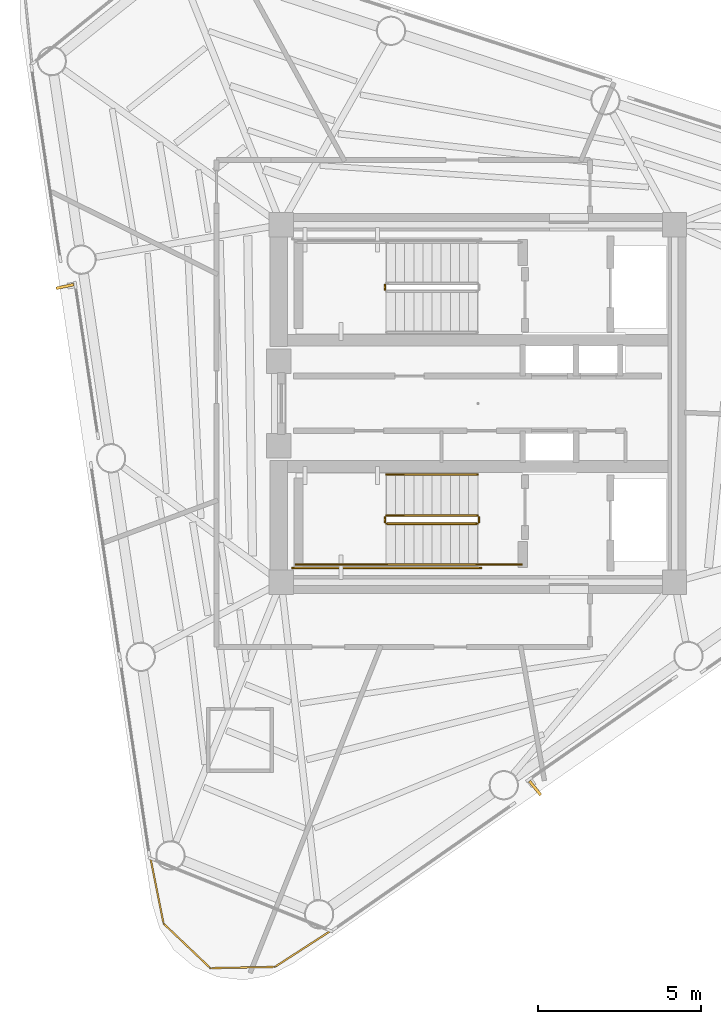
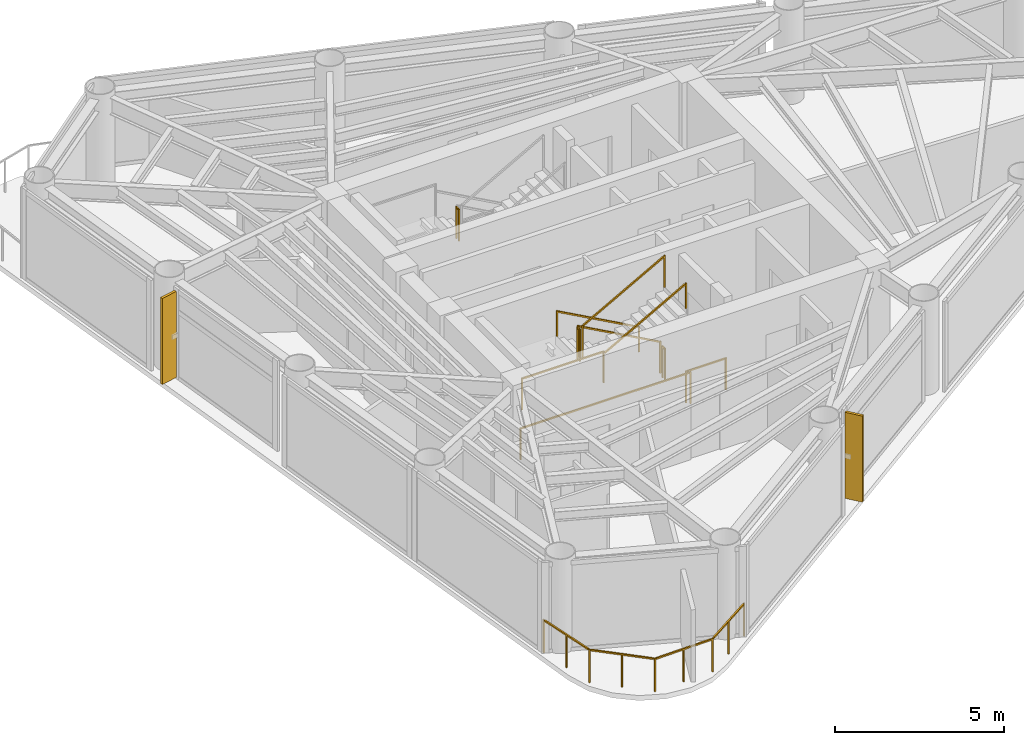
# One storey, part 7 of 9: 11 railings, 2 shading devices.
"""IFC4 building model written with IfcOpenShell, lengths in metres."""

from ifc_helpers import new_model, si_unit, direction, frame, origin, origin_2d, place, context, subcontext, project, spatial, rectangle, extrude, source, transform, mapped, material, material_profile, profile_set, type_object, element, save


model = new_model("IFC4")

# Units and contexts
model_context = context("Model", 3, precision=1e-05, world=origin(), true_north=direction((0.0, 1.0)))
body_context = subcontext(model_context, "Body", "Model", "MODEL_VIEW")
ifc_project = project(units=[si_unit("LENGTHUNIT", "METRE"), si_unit("AREAUNIT", "SQUARE_METRE"), si_unit("VOLUMEUNIT", "CUBIC_METRE"), si_unit("PLANEANGLEUNIT", "RADIAN"), si_unit("MASSUNIT", "GRAM", prefix="KILO")], contexts=[model_context])

# Site, building, storey
site_placement = place(None, origin())
site = spatial("IfcSite", under=ifc_project, at=site_placement, CompositionType="ELEMENT")
building_placement = place(site_placement, origin())
building = spatial("IfcBuilding", under=site, at=building_placement, Name="Yunling Apex Tower", CompositionType="ELEMENT")
storey_placement = place(building_placement, frame((0.0, 0.0, 274.550048828125)))
storey = spatial("IfcBuildingStorey", under=building, at=storey_placement, Name="L67", CompositionType="ELEMENT", Elevation=274.550048828125)

# Railings
ifc_material_1 = material(Name="Bronze anodised aluminium", Category="aluminium")
railing_type_1 = type_object("IfcRailingType", Name="RL-BAL-1200", PredefinedType="BALUSTRADE", material=ifc_material_1)
railing_1_placement = place(storey_placement, frame((-4.528564453125, -16.22509765625, 0.0)))
element("IfcRailing", 1, at=railing_1_placement, inside=storey, type_object=railing_type_1, Name="RL-CRNSILL-L67-3", PredefinedType="BALUSTRADE", context=body_context, shape_type="SweptSolid", body=[
    extrude(rectangle(XDim=0.0439453125, YDim=0.0439453125, at=origin_2d()), origin(), (0.0, 0.0, 1.0), 1.199951171875),
    extrude(rectangle(XDim=0.0439453125, YDim=0.0439453125, at=origin_2d()), frame((-1.718017578125, -1.109130859375, 0.0)), (0.0, 0.0, 1.0), 1.199951171875),
    extrude(rectangle(XDim=0.050048828125, YDim=0.050048828125, at=origin_2d()), frame((-0.0322265625, -0.020751953125, 1.1748046875), z_axis=(-0.840133449473, -0.542379744345, 0.0), x_axis=(0.542379744345, -0.840133449473, 0.0)), (0.0, 0.0, 1.0), 1.96826171875),
    extrude(rectangle(XDim=0.0439453125, YDim=0.0439453125, at=origin_2d()), frame((-0.85888671875, -0.5546875, 0.0)), (0.0, 0.0, 1.0), 1.14599609375),
    extrude(rectangle(XDim=0.0439453125, YDim=0.0439453125, at=origin_2d()), frame((-3.700439453125, -1.147705078125, 0.0)), (0.0, 0.0, 1.0), 1.199951171875),
    extrude(rectangle(XDim=0.050048828125, YDim=0.050048828125, at=origin_2d()), frame((-1.75634765625, -1.10986328125, 1.1748046875), z_axis=(-0.999810744366, -0.019454445518, 0.0), x_axis=(0.019454445518, -0.999810744366, 0.0)), (0.0, 0.0, 1.0), 1.90625),
    extrude(rectangle(XDim=0.0439453125, YDim=0.0439453125, at=origin_2d()), frame((-2.709228515625, -1.12841796875, 0.0)), (0.0, 0.0, 1.0), 1.14599609375),
    extrude(rectangle(XDim=0.0439453125, YDim=0.0439453125, at=origin_2d()), frame((-5.141845703125, 0.223388671875, 0.0)), (0.0, 0.0, 1.0), 1.199951171875),
    extrude(rectangle(XDim=0.050048828125, YDim=0.050048828125, at=origin_2d()), frame((-3.728271484375, -1.121337890625, 1.1748046875), z_axis=(-0.72455806169, 0.689213765998, 0.0), x_axis=(-0.689213765998, -0.72455806169, 0.0)), (0.0, 0.0, 1.0), 1.91259765625),
    extrude(rectangle(XDim=0.0439453125, YDim=0.0439453125, at=origin_2d()), frame((-4.421142578125, -0.462158203125, 0.0)), (0.0, 0.0, 1.0), 1.14599609375),
    extrude(rectangle(XDim=0.0439453125, YDim=0.0439453125, at=origin_2d()), frame((-5.542236328125, 2.228271484375, 0.0)), (0.0, 0.0, 1.0), 1.199951171875),
    extrude(rectangle(XDim=0.050048828125, YDim=0.050048828125, at=origin_2d()), frame((-5.1494140625, 0.260986328125, 1.1748046875), z_axis=(-0.195840554381, 0.980635751571, 0.0), x_axis=(-0.980635751571, -0.195840554381, 0.0)), (0.0, 0.0, 1.0), 1.9677734375),
    extrude(rectangle(XDim=0.0439453125, YDim=0.0439453125, at=origin_2d()), frame((-5.342041015625, 1.225830078125, 0.0)), (0.0, 0.0, 1.0), 1.14599609375),
])
ifc_material_2 = material(Name="Steel Q355B", Category="steel")
railing_type_2 = type_object("IfcRailingType", Name="RL-GRD-1150", PredefinedType="GUARDRAIL", material=ifc_material_2)
railing_2_placement = place(storey_placement, frame((-2.860107421875, 3.64990234375, 1.699951171875)))
element("IfcRailing", 2, at=railing_2_placement, inside=storey, type_object=railing_type_2, Name="L67 ST-1 stair guard 2", PredefinedType="GUARDRAIL", context=body_context, shape_type="SweptSolid", body=[
    extrude(rectangle(XDim=0.0439453125, YDim=0.0439453125, at=origin_2d()), origin(), (0.0, 0.0, 1.0), 1.14990234375),
    extrude(rectangle(XDim=0.0439453125, YDim=0.0439453125, at=origin_2d()), frame((0.0, -0.14990234375, 0.0)), (0.0, 0.0, 1.0), 1.14990234375),
    extrude(rectangle(XDim=0.050048828125, YDim=0.050048828125, at=origin_2d()), frame((0.0, -0.038330078125, 1.125), z_axis=(0.0, -1.0, 0.0), x_axis=(1.0, 0.0, 0.0)), (0.0, 0.0, 1.0), 0.0732421875),
])
railing_3_placement = place(storey_placement, frame((-0.010009765625, -3.449951171875, 0.154541015625)))
element("IfcRailing", 3, at=railing_3_placement, inside=storey, type_object=railing_type_2, Name="L67 ST-2 stair guard 1", PredefinedType="GUARDRAIL", context=body_context, shape_type="SweptSolid", body=[
    extrude(rectangle(XDim=0.0439453125, YDim=0.0439453125, at=origin_2d()), origin(), (0.0, 0.0, 1.0), 1.14990234375),
    extrude(rectangle(XDim=0.0439453125, YDim=0.0439453125, at=origin_2d()), frame((-2.800048828125, 0.0, 1.54541015625)), (0.0, 0.0, 1.0), 1.14990234375),
    extrude(rectangle(XDim=0.050048828125, YDim=0.050048828125, at=origin_2d()), frame((-0.033447265625, 0.0, 1.143310546875), z_axis=(-0.875504190374, 0.0, 0.483210526207), x_axis=(0.0, -1.0, 0.0)), (0.0, 0.0, 1.0), 3.12158203125),
])
railing_4_placement = place(storey_placement, frame((-2.860107421875, -3.5, 1.699951171875)))
element("IfcRailing", 4, at=railing_4_placement, inside=storey, type_object=railing_type_2, Name="L67 ST-2 stair guard 2", PredefinedType="GUARDRAIL", context=body_context, shape_type="SweptSolid", body=[
    extrude(rectangle(XDim=0.0439453125, YDim=0.0439453125, at=origin_2d()), origin(), (0.0, 0.0, 1.0), 1.14990234375),
    extrude(rectangle(XDim=0.0439453125, YDim=0.0439453125, at=origin_2d()), frame((0.0, -0.14990234375, 0.0)), (0.0, 0.0, 1.0), 1.14990234375),
    extrude(rectangle(XDim=0.050048828125, YDim=0.050048828125, at=origin_2d()), frame((0.0, -0.038330078125, 1.125), z_axis=(0.0, -1.0, 0.0), x_axis=(1.0, 0.0, 0.0)), (0.0, 0.0, 1.0), 0.0732421875),
])
railing_5_placement = place(storey_placement, frame((-2.81005859375, -4.9599609375, 1.699951171875)))
element("IfcRailing", 5, at=railing_5_placement, inside=storey, type_object=railing_type_2, Name="L67 ST-2 stair guard 3", PredefinedType="GUARDRAIL", context=body_context, shape_type="SweptSolid", body=[
    extrude(rectangle(XDim=0.0439453125, YDim=0.0439453125, at=origin_2d()), origin(), (0.0, 0.0, 1.0), 1.14990234375),
    extrude(rectangle(XDim=0.0439453125, YDim=0.0439453125, at=origin_2d()), frame((-2.7900390625, 0.0, 0.0)), (0.0, 0.0, 1.0), 1.14990234375),
    extrude(rectangle(XDim=0.050048828125, YDim=0.050048828125, at=origin_2d()), frame((-0.038330078125, 0.0, 1.125), z_axis=(-1.0, 0.0, 0.0), x_axis=(0.0, -1.0, 0.0)), (0.0, 0.0, 1.0), 2.71337890625),
])
railing_6_placement = place(storey_placement, frame((-2.81005859375, -3.699951171875, 1.8544921875)))
element("IfcRailing", 6, at=railing_6_placement, inside=storey, type_object=railing_type_2, Name="L67 ST-2 stair guard 4", PredefinedType="GUARDRAIL", context=body_context, shape_type="SweptSolid", body=[
    extrude(rectangle(XDim=0.0439453125, YDim=0.0439453125, at=origin_2d()), origin(), (0.0, 0.0, 1.0), 1.14990234375),
    extrude(rectangle(XDim=0.0439453125, YDim=0.0439453125, at=origin_2d()), frame((2.800048828125, 0.0, 1.54541015625)), (0.0, 0.0, 1.0), 1.14990234375),
    extrude(rectangle(XDim=0.050048828125, YDim=0.050048828125, at=origin_2d()), frame((0.033447265625, 0.0, 1.143310546875), z_axis=(0.875504190374, 0.0, 0.483210526207), x_axis=(0.0, 1.0, 0.0)), (0.0, 0.0, 1.0), 3.12158203125),
])
railing_7_placement = place(storey_placement, frame((0.0400390625, -3.5, 0.0)))
element("IfcRailing", 7, at=railing_7_placement, inside=storey, type_object=railing_type_2, Name="L67 ST-2 stair guard 5", PredefinedType="GUARDRAIL", context=body_context, shape_type="SweptSolid", body=[
    extrude(rectangle(XDim=0.0439453125, YDim=0.0439453125, at=origin_2d()), origin(), (0.0, 0.0, 1.0), 1.14990234375),
    extrude(rectangle(XDim=0.0439453125, YDim=0.0439453125, at=origin_2d()), frame((0.0, -0.14990234375, 0.0)), (0.0, 0.0, 1.0), 1.14990234375),
    extrude(rectangle(XDim=0.050048828125, YDim=0.050048828125, at=origin_2d()), frame((0.0, -0.038330078125, 1.125), z_axis=(0.0, -1.0, 0.0), x_axis=(1.0, 0.0, 0.0)), (0.0, 0.0, 1.0), 0.0732421875),
])
railing_8_placement = place(storey_placement, frame((1.35009765625, -4.9599609375, 0.0)))
element("IfcRailing", 8, at=railing_8_placement, inside=storey, type_object=railing_type_2, Name="L67 ST-2 stair guard 6", PredefinedType="GUARDRAIL", context=body_context, shape_type="SweptSolid", body=[
    extrude(rectangle(XDim=0.0439453125, YDim=0.0439453125, at=origin_2d()), origin(), (0.0, 0.0, 1.0), 1.14990234375),
    extrude(rectangle(XDim=0.0439453125, YDim=0.0439453125, at=origin_2d()), frame((-1.360107421875, 0.0, 0.0)), (0.0, 0.0, 1.0), 1.14990234375),
    extrude(rectangle(XDim=0.050048828125, YDim=0.050048828125, at=origin_2d()), frame((-0.038330078125, 0.0, 1.125), z_axis=(-1.0, 0.0, 0.0), x_axis=(0.0, -1.0, 0.0)), (0.0, 0.0, 1.0), 1.283447265625),
])
railing_9_placement = place(storey_placement, frame((0.090087890625, -5.06005859375, 0.0)))
element("IfcRailing", 9, at=railing_9_placement, inside=storey, type_object=railing_type_2, Name="L67 ST-2 stair guard 7", PredefinedType="GUARDRAIL", context=body_context, shape_type="SweptSolid", body=[
    extrude(rectangle(XDim=0.0439453125, YDim=0.0439453125, at=origin_2d()), origin(), (0.0, 0.0, 1.0), 1.14990234375),
    extrude(rectangle(XDim=0.0439453125, YDim=0.0439453125, at=origin_2d()), frame((-5.7900390625, 0.0, 0.0)), (0.0, 0.0, 1.0), 1.14990234375),
    extrude(rectangle(XDim=0.050048828125, YDim=0.050048828125, at=origin_2d()), frame((-0.038330078125, 0.0, 1.125), z_axis=(-1.0, 0.0, 0.0), x_axis=(0.0, -1.0, 0.0)), (0.0, 0.0, 1.0), 5.71337890625),
])
ifc_material_3 = material(Name="Silver anodised aluminium", Category="aluminium")
railing_type_3 = type_object("IfcRailingType", Name="RL-HND-900", PredefinedType="HANDRAIL", material=ifc_material_3)
railing_10_placement = place(storey_placement, frame((-0.010009765625, -2.18994140625, 0.154541015625)))
element("IfcRailing", 10, at=railing_10_placement, inside=storey, type_object=railing_type_3, Name="L67 ST-2 stair handrail 1", PredefinedType="HANDRAIL", context=body_context, shape_type="SweptSolid", body=[
    extrude(rectangle(XDim=0.0439453125, YDim=0.0439453125, at=origin_2d()), origin(), (0.0, 0.0, 1.0), 0.919921875),
    extrude(rectangle(XDim=0.0439453125, YDim=0.0439453125, at=origin_2d()), frame((-2.800048828125, 0.0, 1.54541015625)), (0.0, 0.0, 1.0), 0.919921875),
    extrude(rectangle(XDim=0.050048828125, YDim=0.050048828125, at=origin_2d()), frame((-0.033447265625, 0.0, 0.913330078125), z_axis=(-0.875504190374, 0.0, 0.483210526207), x_axis=(0.0, -1.0, 0.0)), (0.0, 0.0, 1.0), 3.12158203125),
])
railing_11_placement = place(storey_placement, frame((-2.81005859375, -4.9599609375, 1.8544921875)))
element("IfcRailing", 11, at=railing_11_placement, inside=storey, type_object=railing_type_3, Name="L67 ST-2 stair handrail 2", PredefinedType="HANDRAIL", context=body_context, shape_type="SweptSolid", body=[
    extrude(rectangle(XDim=0.0439453125, YDim=0.0439453125, at=origin_2d()), origin(), (0.0, 0.0, 1.0), 0.919921875),
    extrude(rectangle(XDim=0.0439453125, YDim=0.0439453125, at=origin_2d()), frame((2.800048828125, 0.0, 1.54541015625)), (0.0, 0.0, 1.0), 0.919921875),
    extrude(rectangle(XDim=0.050048828125, YDim=0.050048828125, at=origin_2d()), frame((0.033447265625, 0.0, 0.913330078125), z_axis=(0.875504190374, 0.0, 0.483210526207), x_axis=(0.0, 1.0, 0.0)), (0.0, 0.0, 1.0), 3.12158203125),
])

# Shading devices
ifc_material_profile = material_profile(ifc_material_1, rectangle(XDim=0.0849609375, YDim=0.550048828125, at=origin_2d()))
ifc_profile_set = profile_set([ifc_material_profile], Name="Bronze anodised aluminium")
shading_device_type = type_object("IfcShadingDeviceType", Name="FN-BRZ-3", PredefinedType="USERDEFINED", material=ifc_profile_set)
shared_shape = source(origin(), body_context, "Body", "SweptSolid", [
    extrude(rectangle(XDim=0.0849609375, YDim=0.550048828125, at=origin_2d()), origin(), (0.0, 0.0, 1.0), 3.10009765625),
])
for number, where, z_axis, x_axis, name in (
    (12, (1.76171875, -11.8330078125, 0.059814453125), (0.0, 0.0, 1.0), (0.780321270022, 0.625378857614, 0.0), "CW-L67-F1-B2-FIN-01"),
    (13, (-12.705322265625, 3.598876953125, 0.059814453125), (0.0, 0.0, 1.0), (0.212177672156, -0.977231106463, 0.0), "CW-L67-F3-B2-FIN-01"),
):
    element("IfcShadingDevice", number, at=place(storey_placement, frame(where, z_axis=z_axis, x_axis=x_axis)), inside=storey, type_object=shading_device_type, Name=name, ObjectType="FIN", PredefinedType="USERDEFINED", context=body_context, shape_type="MappedRepresentation", body=[
        mapped(shared_shape, transform((0.0, 0.0, 0.0), scale=1.0)),
    ])

save(model, "model.ifc")
